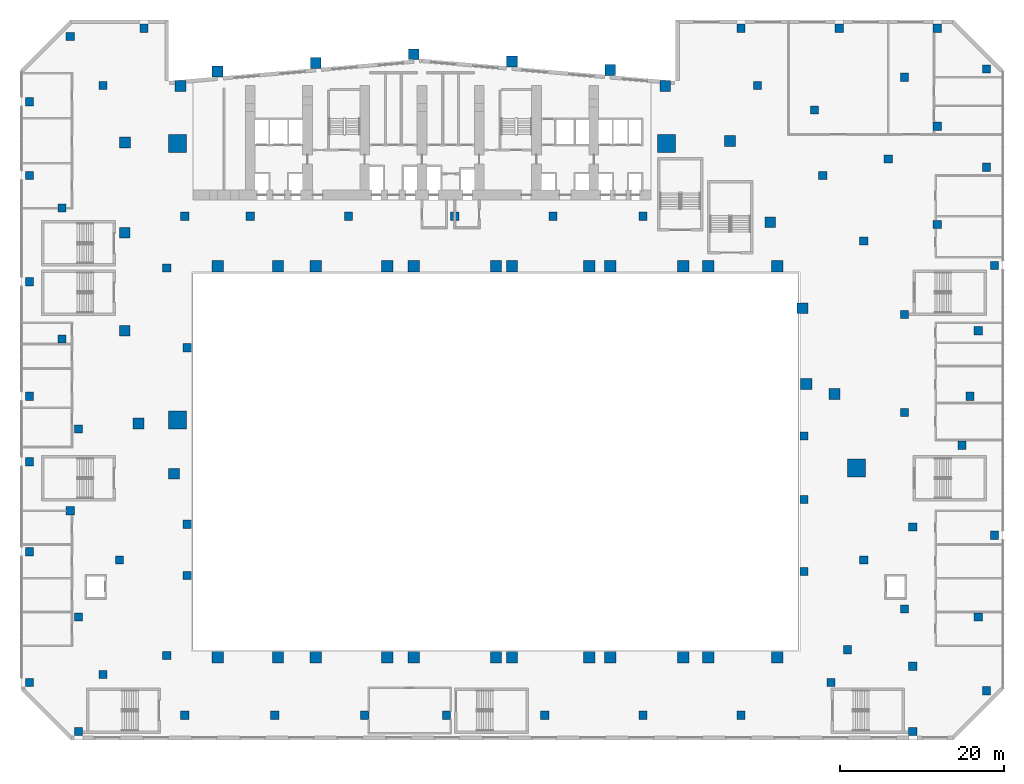
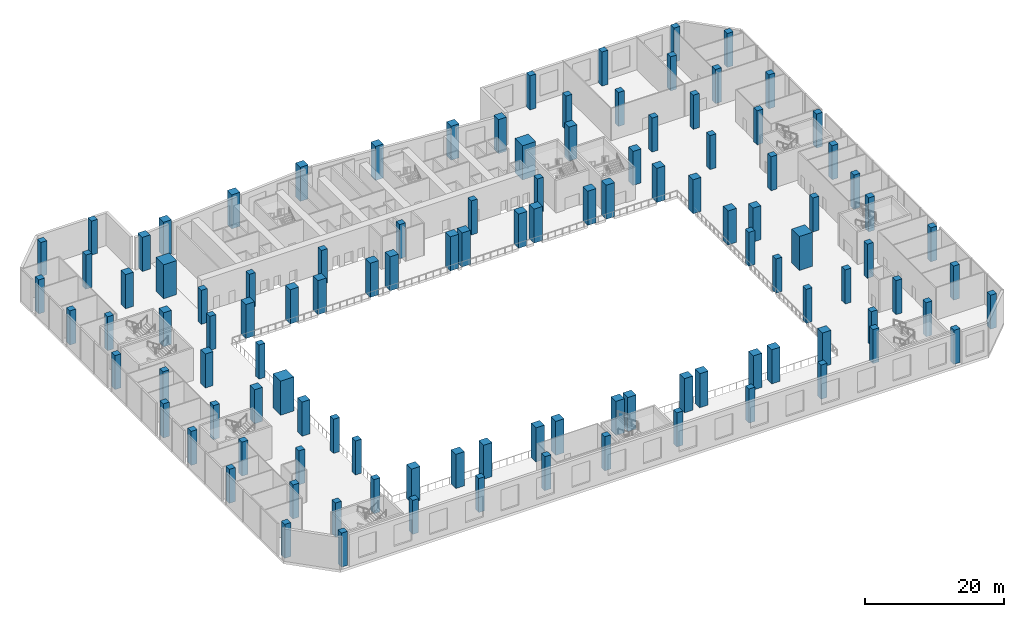
# One storey, part 1 of 30: 113 columns.
"""IFC4 building model written with IfcOpenShell, lengths in metres."""

from ifc_helpers import new_model, si_unit, direction, frame, origin, origin_2d, place, context, subcontext, project, spatial, rectangle, extrude, material, material_profile, profile_set, type_object, element, save


model = new_model("IFC4")

# Units and contexts
model_context = context("Model", 3, precision=1e-05, world=origin(), true_north=direction((0.0, 1.0)))
body_context = subcontext(model_context, "Body", "Model", "MODEL_VIEW")
ifc_project = project(units=[si_unit("LENGTHUNIT", "METRE"), si_unit("AREAUNIT", "SQUARE_METRE"), si_unit("VOLUMEUNIT", "CUBIC_METRE"), si_unit("PLANEANGLEUNIT", "RADIAN"), si_unit("MASSUNIT", "GRAM", prefix="KILO")], contexts=[model_context])

# Site, building, storey
site_placement = place(None, origin())
site = spatial("IfcSite", under=ifc_project, at=site_placement, CompositionType="ELEMENT")
building_placement = place(site_placement, origin())
building = spatial("IfcBuilding", under=site, at=building_placement, Name="Wharfspan Tower", CompositionType="ELEMENT")
storey_placement = place(building_placement, frame((0.0, 0.0, 21.5)))
storey = spatial("IfcBuildingStorey", under=building, at=storey_placement, Name="L03", CompositionType="ELEMENT", Elevation=21.5)

# Columns
ifc_material = material(Name="Concrete C60/75", Category="concrete")
ifc_material_profile_1 = material_profile(ifc_material, rectangle(XDim=1.0, YDim=1.0, at=origin_2d()))
ifc_profile_set_1 = profile_set([ifc_material_profile_1], Name="Concrete C60/75")
column_type_1 = type_object("IfcColumnType", Name="Concrete column 1000 square", PredefinedType="COLUMN", material=ifc_profile_set_1)
for number, where, z_axis, x_axis, name in (
    (1, (5.800049, -21.699951, 0.0), (0.0, 0.0, 1.0), (1.0, 0.0, 0.0), "Column G.S1"),
    (2, (5.800049, 25.699951, 0.0), (0.0, 0.0, 1.0), (1.0, 0.0, 0.0), "Column G.N2"),
    (3, (8.300049, -11.919922, 0.0), (0.0, 0.0, 1.0), (1.0, 0.0, 0.0), "Column G.W3"),
    (4, (8.300049, -5.639893, 0.0), (0.0, 0.0, 1.0), (1.0, 0.0, 0.0), "Column G.W4"),
    (5, (8.300049, 15.919922, 0.0), (0.0, 0.0, 1.0), (1.0, 0.0, 0.0), "Column G.W5"),
    (6, (83.699951, -11.419922, 0.0), (0.0, 0.0, 1.0), (1.0, 0.0, 0.0), "Column G.E6"),
    (7, (83.699951, -2.639893, 0.0), (0.0, 0.0, 1.0), (1.0, 0.0, 0.0), "Column G.E7"),
    (8, (83.699951, 5.139893, 0.0), (0.0, 0.0, 1.0), (1.0, 0.0, 0.0), "Column G.E8"),
    (9, (106.0, 50.0, 0.0), (0.0, 0.0, 1.0), (1.0, 0.0, 0.0), "Column D.1"),
    (10, (106.0, -26.0, 0.0), (0.0, 0.0, 1.0), (1.0, 0.0, 0.0), "Column D.2"),
    (11, (107.0, 26.0, 0.0), (0.0, 0.0, 1.0), (1.0, 0.0, 0.0), "Column D.3"),
    (12, (-11.0, -9.0, 0.0), (0.0, 0.0, 1.0), (1.0, 0.0, 0.0), "Column D.4"),
    (13, (107.0, -7.0, 0.0), (0.0, 0.0, 1.0), (1.0, 0.0, 0.0), "Column D.5"),
    (14, (88.0, 55.0, 0.0), (0.0, 0.0, 1.0), (1.0, 0.0, 0.0), "Column D.6"),
    (15, (-11.0, -25.0, 0.0), (0.0, 0.0, 1.0), (1.0, 0.0, 0.0), "Column D.7"),
    (16, (94.0, 39.0, 0.0), (0.0, 0.0, 1.0), (1.0, 0.0, 0.0), "Column D.8"),
    (17, (104.0, 10.0, 0.0), (0.0, 0.0, 1.0), (1.0, 0.0, 0.0), "Column D.9"),
    (18, (-6.0, 54.0, 0.0), (0.0, 0.0, 1.0), (1.0, 0.0, 0.0), "Column D.10"),
    (19, (97.0, -31.0, 0.0), (0.0, 0.0, 1.0), (1.0, 0.0, 0.0), "Column D.11"),
    (20, (-11.0, 10.0, 0.0), (0.0, 0.0, 1.0), (1.0, 0.0, 0.0), "Column D.12"),
    (21, (96.0, -16.0, 0.0), (0.0, 0.0, 1.0), (1.0, 0.0, 0.0), "Column D.13"),
    (22, (-11.0, 24.0, 0.0), (0.0, 0.0, 1.0), (1.0, 0.0, 0.0), "Column D.14"),
    (23, (96.0, 20.0, 0.0), (0.0, 0.0, 1.0), (1.0, 0.0, 0.0), "Column D.15"),
    (24, (-11.0, 37.0, 0.0), (0.0, 0.0, 1.0), (1.0, 0.0, 0.0), "Column D.16"),
    (25, (106.0, 38.0, 0.0), (0.0, 0.0, 1.0), (1.0, 0.0, 0.0), "Column D.17"),
    (26, (76.0, 55.0, 0.0), (0.0, 0.0, 1.0), (1.0, 0.0, 0.0), "Column D.18"),
    (27, (-5.0, -31.0, 0.0), (0.0, 0.0, 1.0), (1.0, 0.0, 0.0), "Column D.19"),
    (28, (87.0, -25.0, 0.0), (0.0, 0.0, 1.0), (1.0, 0.0, 0.0), "Column D.20"),
    (29, (-5.0, -17.0, 0.0), (0.0, 0.0, 1.0), (1.0, 0.0, 0.0), "Column D.21"),
    (30, (85.0, 45.0, 0.0), (0.0, 0.0, 1.0), (1.0, 0.0, 0.0), "Column D.22"),
    (31, (40.0, -29.0, 0.0), (0.0, 0.0, 1.0), (1.0, 0.0, 0.0), "Column D.23"),
    (32, (-6.0, -4.0, 0.0), (0.0, 0.0, 1.0), (1.0, 0.0, 0.0), "Column D.24"),
    (33, (91.0, 29.0, 0.0), (0.0, 0.0, 1.0), (1.0, 0.0, 0.0), "Column D.25"),
    (34, (52.0, -29.0, 0.0), (0.0, 0.0, 1.0), (1.0, 0.0, 0.0), "Column D.26"),
    (35, (96.0, 49.0, 0.0), (0.0, 0.0, 1.0), (1.0, 0.0, 0.0), "Column D.27"),
    (36, (97.0, -6.0, 0.0), (0.0, 0.0, 1.0), (1.0, 0.0, 0.0), "Column D.28"),
    (37, (30.0, -29.0, 0.0), (0.0, 0.0, 1.0), (1.0, 0.0, 0.0), "Column D.29"),
    (38, (64.0, -29.0, 0.0), (0.0, 0.0, 1.0), (1.0, 0.0, 0.0), "Column D.30"),
    (39, (76.0, -29.0, 0.0), (0.0, 0.0, 1.0), (1.0, 0.0, 0.0), "Column D.31"),
    (40, (19.0, -29.0, 0.0), (0.0, 0.0, 1.0), (1.0, 0.0, 0.0), "Column D.32"),
    (41, (8.0, -29.0, 0.0), (0.0, 0.0, 1.0), (1.0, 0.0, 0.0), "Column D.33"),
    (42, (105.0, -17.0, 0.0), (0.0, 0.0, 1.0), (1.0, 0.0, 0.0), "Column D.34"),
    (43, (-11.0, 46.0, 0.0), (0.0, 0.0, 1.0), (1.0, 0.0, 0.0), "Column D.35"),
    (44, (103.0, 4.0, 0.0), (0.0, 0.0, 1.0), (1.0, 0.0, 0.0), "Column D.36"),
    (45, (41.0, 32.0, 0.0), (0.0, 0.0, 1.0), (1.0, 0.0, 0.0), "Column D.37"),
    (46, (100.0, 31.0, 0.0), (0.0, 0.0, 1.0), (1.0, 0.0, 0.0), "Column D.38"),
    (47, (0.0, -10.0, 0.0), (0.0, 0.0, 1.0), (1.0, 0.0, 0.0), "Column D.39"),
    (48, (53.0, 32.0, 0.0), (0.0, 0.0, 1.0), (1.0, 0.0, 0.0), "Column D.40"),
    (49, (3.0, 55.0, 0.0), (0.0, 0.0, 1.0), (1.0, 0.0, 0.0), "Column D.41"),
    (50, (28.0, 32.0, 0.0), (0.0, 0.0, 1.0), (1.0, 0.0, 0.0), "Column D.42"),
    (51, (64.0, 32.0, 0.0), (0.0, 0.0, 1.0), (1.0, 0.0, 0.0), "Column D.43"),
    (52, (86.0, 37.0, 0.0), (0.0, 0.0, 1.0), (1.0, 0.0, 0.0), "Column D.44"),
    (53, (96.0, 8.0, 0.0), (0.0, 0.0, 1.0), (1.0, 0.0, 0.0), "Column D.45"),
    (54, (105.0, 18.0, 0.0), (0.0, 0.0, 1.0), (1.0, 0.0, 0.0), "Column D.46"),
    (55, (16.0, 32.0, 0.0), (0.0, 0.0, 1.0), (1.0, 0.0, 0.0), "Column D.47"),
    (56, (-11.0, 2.0, 0.0), (0.0, 0.0, 1.0), (1.0, 0.0, 0.0), "Column D.48"),
    (57, (-7.0, 17.0, 0.0), (0.0, 0.0, 1.0), (1.0, 0.0, 0.0), "Column D.49"),
    (58, (8.0, 32.0, 0.0), (0.0, 0.0, 1.0), (1.0, 0.0, 0.0), "Column D.50"),
    (59, (-2.0, -24.0, 0.0), (0.0, 0.0, 1.0), (1.0, 0.0, 0.0), "Column D.51"),
    (60, (97.0, -23.0, 0.0), (0.0, 0.0, 1.0), (1.0, 0.0, 0.0), "Column D.52"),
    (61, (78.0, 48.0, 0.0), (0.0, 0.0, 1.0), (1.0, 0.0, 0.0), "Column D.53"),
    (62, (89.0, -21.0, 0.0), (0.0, 0.0, 1.0), (1.0, 0.0, 0.0), "Column D.54"),
    (63, (-7.0, 33.0, 0.0), (0.0, 0.0, 1.0), (1.0, 0.0, 0.0), "Column D.55"),
    (64, (-5.0, 6.0, 0.0), (0.0, 0.0, 1.0), (1.0, 0.0, 0.0), "Column D.56"),
    (65, (-2.0, 48.0, 0.0), (0.0, 0.0, 1.0), (1.0, 0.0, 0.0), "Column D.57"),
    (66, (91.0, -10.0, 0.0), (0.0, 0.0, 1.0), (1.0, 0.0, 0.0), "Column D.58"),
    (67, (100.0, 43.0, 0.0), (0.0, 0.0, 1.0), (1.0, 0.0, 0.0), "Column D.59"),
    (68, (100.0, 55.0, 0.0), (0.0, 0.0, 1.0), (1.0, 0.0, 0.0), "Column D.60"),
):
    element("IfcColumn", number, at=place(storey_placement, frame(where, z_axis=z_axis, x_axis=x_axis)), inside=storey, type_object=column_type_1, Name=name, PredefinedType="COLUMN", context=body_context, shape_type="SweptSolid", body=[
        extrude(rectangle(XDim=1.0, YDim=1.0, at=origin_2d()), origin(), (0.0, 0.0, 1.0), 6.0),
    ])
ifc_material_profile_2 = material_profile(ifc_material, rectangle(XDim=1.320068, YDim=1.320068, at=origin_2d()))
ifc_profile_set_2 = profile_set([ifc_material_profile_2], Name="Concrete C60/75")
column_type_2 = type_object("IfcColumnType", Name="Concrete column 1320 square", PredefinedType="COLUMN", material=ifc_profile_set_2)
for number, where, z_axis, x_axis, name in (
    (69, (6.694336, 0.528564, 0.0), (0.0, 0.0, 1.0), (1.0, 0.0, 0.0), "Column T.PS1.1"),
    (70, (87.44458, 10.268311, 0.0), (0.0, 0.0, 1.0), (1.0, 0.0, 0.0), "Column T.PE.1"),
    (71, (83.50708, 20.768311, 0.0), (0.0, 0.0, 1.0), (1.0, 0.0, 0.0), "Column T.PE.2"),
    (72, (79.56958, 31.268311, 0.0), (0.0, 0.0, 1.0), (1.0, 0.0, 0.0), "Column T.PE.3"),
    (73, (74.634277, 41.196289, 0.0), (0.0, 0.0, 1.0), (1.0, 0.0, 0.0), "Column T.PE.4"),
    (74, (66.747803, 47.915283, 0.0), (0.0, 0.0, 1.0), (1.0, 0.0, 0.0), "Column T.PNRE-V.1"),
    (75, (7.466553, 47.933594, 0.0), (0.0, 0.0, 1.0), (1.0, 0.0, 0.0), "Column T.PNRW-V.1"),
    (76, (0.684814, 41.03418, 0.0), (0.0, 0.0, 1.0), (1.0, 0.0, 0.0), "Column T.PNRW-H.1"),
    (77, (0.659912, 30.0, 0.0), (0.0, 0.0, 1.0), (1.0, 0.0, 0.0), "Column T.PW.1"),
    (78, (0.659912, 18.0, 0.0), (0.0, 0.0, 1.0), (1.0, 0.0, 0.0), "Column T.PW.2"),
    (79, (2.331787, 6.66748, 0.0), (0.0, 0.0, 1.0), (1.0, 0.0, 0.0), "Column T.PW.3"),
    (80, (12.0, 49.709961, 0.0), (0.0, 0.0, 1.0), (1.0, 0.0, 0.0), "Column T.R.1"),
    (81, (24.0, 50.759766, 0.0), (0.0, 0.0, 1.0), (1.0, 0.0, 0.0), "Column T.R.2"),
    (82, (36.0, 51.80957, 0.0), (0.0, 0.0, 1.0), (1.0, 0.0, 0.0), "Column T.R.3"),
    (83, (48.0, 50.934814, 0.0), (0.0, 0.0, 1.0), (1.0, 0.0, 0.0), "Column T.R.4"),
    (84, (60.0, 49.884766, 0.0), (0.0, 0.0, 1.0), (1.0, 0.0, 0.0), "Column T.R.5"),
):
    element("IfcColumn", number, at=place(storey_placement, frame(where, z_axis=z_axis, x_axis=x_axis)), inside=storey, type_object=column_type_2, Name=name, PredefinedType="COLUMN", context=body_context, shape_type="SweptSolid", body=[
        extrude(rectangle(XDim=1.320068, YDim=1.320068, at=origin_2d()), origin(), (0.0, 0.0, 1.0), 6.0),
    ])
ifc_material_profile_3 = material_profile(ifc_material, rectangle(XDim=1.399902, YDim=1.399902, at=origin_2d()))
ifc_profile_set_3 = profile_set([ifc_material_profile_3], Name="Concrete C60/75")
column_type_3 = type_object("IfcColumnType", Name="Concrete column 1400 square", PredefinedType="COLUMN", material=ifc_profile_set_3)
for number, where, z_axis, x_axis, name in (
    (85, (84.0, 11.5, 0.0), (0.0, 0.0, 1.0), (1.0, 0.0, 0.0), "Column T.I.1.7"),
    (86, (12.0, -21.899902, 0.0), (0.0, 0.0, 1.0), (1.0, 0.0, 0.0), "Column RS.1"),
    (87, (12.0, 25.899902, 0.0), (0.0, 0.0, 1.0), (1.0, 0.0, 0.0), "Column RN.1"),
    (88, (19.391113, -21.899902, 0.0), (0.0, 0.0, 1.0), (1.0, 0.0, 0.0), "Column RS.2"),
    (89, (19.391113, 25.899902, 0.0), (0.0, 0.0, 1.0), (1.0, 0.0, 0.0), "Column RN.2"),
    (90, (24.0, -21.899902, 0.0), (0.0, 0.0, 1.0), (1.0, 0.0, 0.0), "Column RS.3"),
    (91, (24.0, 25.899902, 0.0), (0.0, 0.0, 1.0), (1.0, 0.0, 0.0), "Column RN.3"),
    (92, (32.724121, -21.899902, 0.0), (0.0, 0.0, 1.0), (1.0, 0.0, 0.0), "Column RS.4"),
    (93, (32.724121, 25.899902, 0.0), (0.0, 0.0, 1.0), (1.0, 0.0, 0.0), "Column RN.4"),
    (94, (36.0, -21.899902, 0.0), (0.0, 0.0, 1.0), (1.0, 0.0, 0.0), "Column RS.5"),
    (95, (36.0, 25.899902, 0.0), (0.0, 0.0, 1.0), (1.0, 0.0, 0.0), "Column RN.5"),
    (96, (46.041992, -21.899902, 0.0), (0.0, 0.0, 1.0), (1.0, 0.0, 0.0), "Column RS.6"),
    (97, (46.041992, 25.899902, 0.0), (0.0, 0.0, 1.0), (1.0, 0.0, 0.0), "Column RN.6"),
    (98, (48.0, -21.899902, 0.0), (0.0, 0.0, 1.0), (1.0, 0.0, 0.0), "Column RS.7"),
    (99, (48.0, 25.899902, 0.0), (0.0, 0.0, 1.0), (1.0, 0.0, 0.0), "Column RN.7"),
    (100, (57.441895, -21.899902, 0.0), (0.0, 0.0, 1.0), (1.0, 0.0, 0.0), "Column RS.8"),
    (101, (57.441895, 25.899902, 0.0), (0.0, 0.0, 1.0), (1.0, 0.0, 0.0), "Column RN.8"),
    (102, (60.0, -21.899902, 0.0), (0.0, 0.0, 1.0), (1.0, 0.0, 0.0), "Column RS.9"),
    (103, (60.0, 25.899902, 0.0), (0.0, 0.0, 1.0), (1.0, 0.0, 0.0), "Column RN.9"),
    (104, (68.941895, -21.899902, 0.0), (0.0, 0.0, 1.0), (1.0, 0.0, 0.0), "Column RS.10"),
    (105, (68.941895, 25.899902, 0.0), (0.0, 0.0, 1.0), (1.0, 0.0, 0.0), "Column RN.10"),
    (106, (72.0, -21.899902, 0.0), (0.0, 0.0, 1.0), (1.0, 0.0, 0.0), "Column RS.11"),
    (107, (72.0, 25.899902, 0.0), (0.0, 0.0, 1.0), (1.0, 0.0, 0.0), "Column RN.11"),
    (108, (80.441895, -21.899902, 0.0), (0.0, 0.0, 1.0), (1.0, 0.0, 0.0), "Column RS.12"),
    (109, (80.441895, 25.899902, 0.0), (0.0, 0.0, 1.0), (1.0, 0.0, 0.0), "Column RN.12"),
):
    element("IfcColumn", number, at=place(storey_placement, frame(where, z_axis=z_axis, x_axis=x_axis)), inside=storey, type_object=column_type_3, Name=name, PredefinedType="COLUMN", context=body_context, shape_type="SweptSolid", body=[
        extrude(rectangle(XDim=1.399902, YDim=1.399902, at=origin_2d()), origin(), (0.0, 0.0, 1.0), 6.0),
    ])
ifc_material_profile_4 = material_profile(ifc_material, rectangle(XDim=2.199951, YDim=2.199951, at=origin_2d()))
ifc_profile_set_4 = profile_set([ifc_material_profile_4], Name="Concrete C60/75")
column_type_4 = type_object("IfcColumnType", Name="Concrete column 2200 square", PredefinedType="COLUMN", material=ifc_profile_set_4)
for number, where, z_axis, x_axis, name in (
    (110, (7.100098, 7.100098, 0.0), (0.0, 0.0, 1.0), (1.0, 0.0, 0.0), "Column T.MC1"),
    (111, (7.100098, 40.899902, 0.0), (0.0, 0.0, 1.0), (1.0, 0.0, 0.0), "Column T.MC2"),
    (112, (66.899902, 40.899902, 0.0), (0.0, 0.0, 1.0), (1.0, 0.0, 0.0), "Column T.MC3"),
    (113, (90.096436, 1.199707, 0.0), (0.0, 0.0, 1.0), (1.0, 0.0, 0.0), "Column T.MC4"),
):
    element("IfcColumn", number, at=place(storey_placement, frame(where, z_axis=z_axis, x_axis=x_axis)), inside=storey, type_object=column_type_4, Name=name, PredefinedType="COLUMN", context=body_context, shape_type="SweptSolid", body=[
        extrude(rectangle(XDim=2.199951, YDim=2.199951, at=origin_2d()), origin(), (0.0, 0.0, 1.0), 6.0),
    ])

save(model, "model.ifc")
